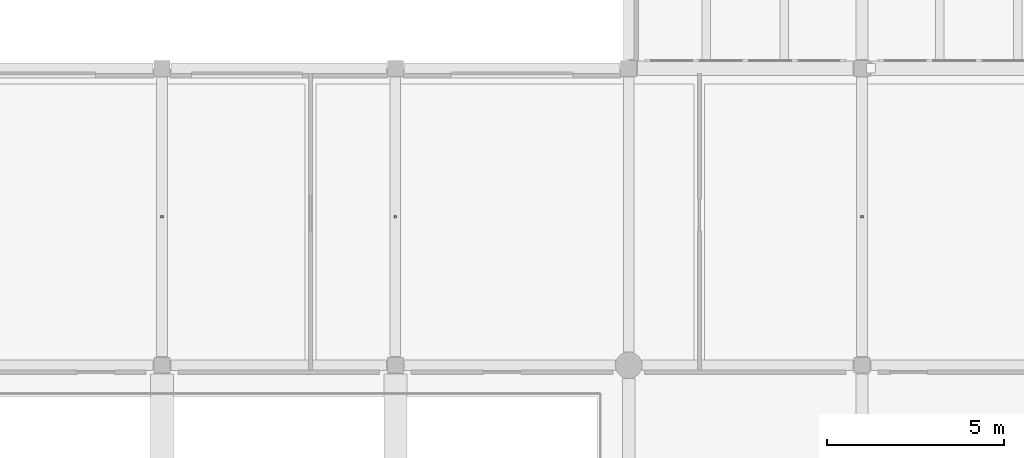
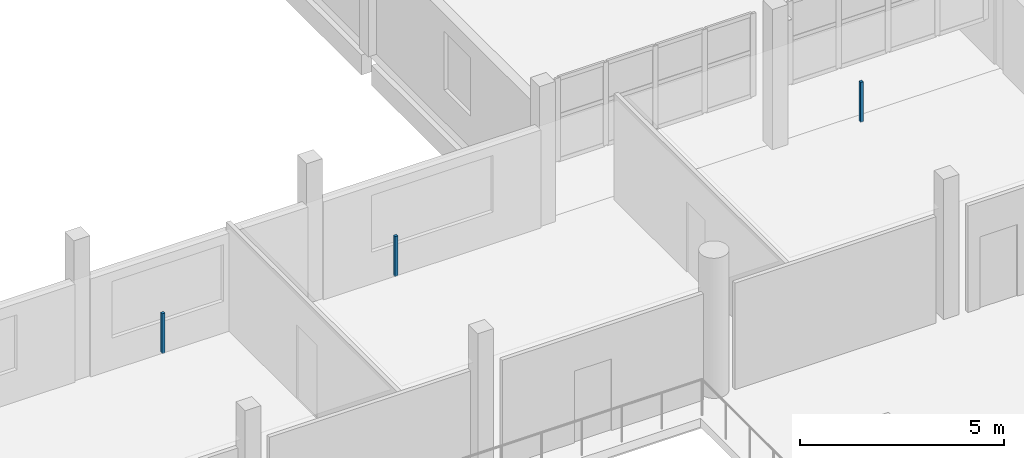
# One storey, part 57 of 74: 3 discrete accessories.
"""IFC4 building model written with IfcOpenShell, lengths in metres."""

from ifc_helpers import new_model, si_unit, direction, frame, origin, origin_2d, place, context, subcontext, project, spatial, rectangle, extrude, material, layer, layer_set, type_object, element, save


model = new_model("IFC4")

# Units and contexts
model_context = context("Model", 3, precision=1e-05, world=origin(), true_north=direction((0.0, 1.0)))
body_context = subcontext(model_context, "Body", "Model", "MODEL_VIEW")
ifc_project = project(units=[si_unit("LENGTHUNIT", "METRE"), si_unit("AREAUNIT", "SQUARE_METRE"), si_unit("VOLUMEUNIT", "CUBIC_METRE"), si_unit("PLANEANGLEUNIT", "RADIAN"), si_unit("MASSUNIT", "GRAM", prefix="KILO")], contexts=[model_context])

# Site, building, storey
site_placement = place(None, origin())
site = spatial("IfcSite", under=ifc_project, at=site_placement, CompositionType="ELEMENT")
building_placement = place(site_placement, origin())
building = spatial("IfcBuilding", under=site, at=building_placement, Name="Qaldarim Faculty of Natural and Applied Sciences", CompositionType="ELEMENT")
storey_placement = place(building_placement, frame((0.0, 0.0, 14.39990234375)))
storey = spatial("IfcBuildingStorey", under=building, at=storey_placement, Name="L03", CompositionType="ELEMENT", Elevation=14.39990234375)

# Discrete accessories
ifc_material = material(Name="Architectural stainless steel 316", Category="steel")
ifc_layer = layer(ifc_material, 0.080078125)
ifc_layer_set = layer_set([ifc_layer], Name="Architectural stainless steel 316")
discrete_accessory_type = type_object("IfcDiscreteAccessoryType", Name="FacadeBracket-SS120", PredefinedType="BRACKET", material=ifc_layer_set)
for number, where, z_axis, x_axis, name in (
    (1, (19.800048828125, 79.800048828125, 3.1923828125), (0.0, 0.0, 1.0), (1.0, 0.0, 0.0), "Seminar ceiling hanger L03 V2 1"),
    (2, (26.39990234375, 79.800048828125, 3.1923828125), (0.0, 0.0, 1.0), (1.0, 0.0, 0.0), "Seminar ceiling hanger L03 V2 2"),
    (3, (39.60009765625, 79.800048828125, 3.1923828125), (0.0, 0.0, 1.0), (1.0, 0.0, 0.0), "Seminar ceiling hanger L03 V2 3"),
):
    element("IfcDiscreteAccessory", number, at=place(storey_placement, frame(where, z_axis=z_axis, x_axis=x_axis)), inside=storey, type_object=discrete_accessory_type, Name=name, PredefinedType="BRACKET", context=body_context, shape_type="SweptSolid", body=[
        extrude(rectangle(XDim=0.080078125, YDim=0.080078125, at=origin_2d()), origin(), (0.0, 0.0, 1.0), 1.195068359375),
    ])

save(model, "model.ifc")
